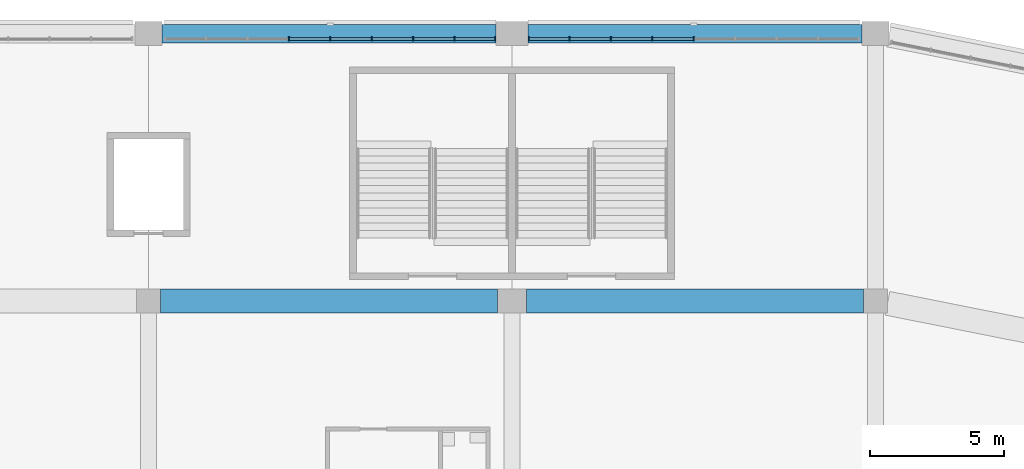
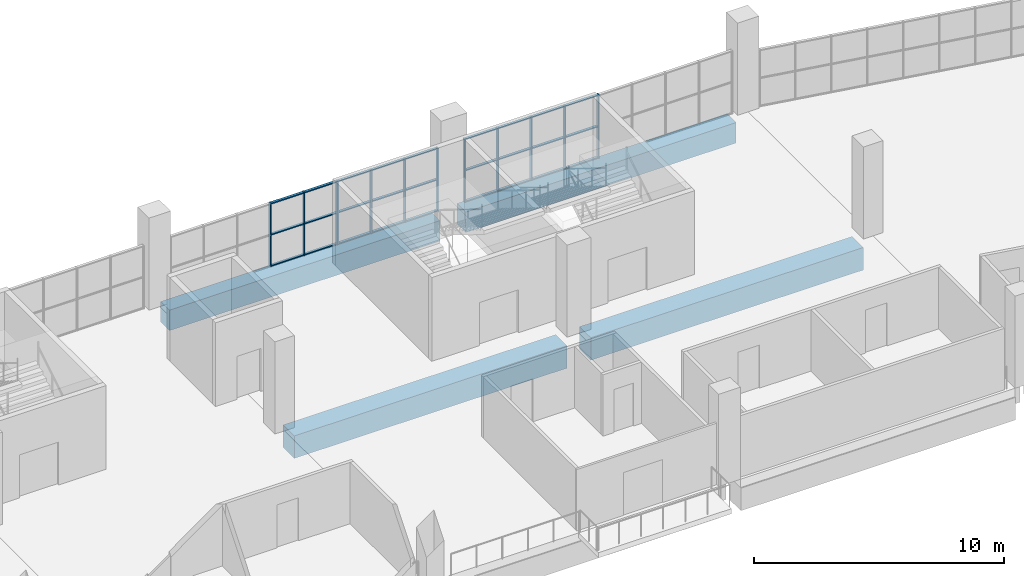
# One storey, part 45 of 199: 38 members, 4 beams, 2 elements without a shape of their own.
"""IFC4 building model written with IfcOpenShell, lengths in metres."""

from ifc_helpers import new_model, si_unit, direction, frame, origin, origin_2d, place, context, subcontext, project, spatial, rectangle, extrude, material, material_profile, profile_set, type_object, element, aggregate, save


model = new_model("IFC4")

# Units and contexts
model_context = context("Model", 3, precision=1e-05, world=origin(), true_north=direction((0.0, 1.0)))
body_context = subcontext(model_context, "Body", "Model", "MODEL_VIEW")
ifc_project = project(units=[si_unit("LENGTHUNIT", "METRE"), si_unit("AREAUNIT", "SQUARE_METRE"), si_unit("VOLUMEUNIT", "CUBIC_METRE"), si_unit("PLANEANGLEUNIT", "RADIAN"), si_unit("MASSUNIT", "GRAM", prefix="KILO")], contexts=[model_context])

# Site, building, storey
site_placement = place(None, origin())
site = spatial("IfcSite", under=ifc_project, at=site_placement, CompositionType="ELEMENT")
building_placement = place(site_placement, origin())
building = spatial("IfcBuilding", under=site, at=building_placement, Name="Ogive Plaza Stadium", CompositionType="ELEMENT")
storey_placement = place(building_placement, frame((0.0, 0.0, 9.0)))
storey = spatial("IfcBuildingStorey", under=building, at=storey_placement, Name="L02", CompositionType="ELEMENT", Elevation=9.0)

# Curtain wall, members
ifc_material_1 = material(Name="Bronze-anodised aluminium with laminated glass", Category="aluminium")
curtain_wall_type = type_object("IfcCurtainWallType", Name="Lancet curtain wall", PredefinedType="NOTDEFINED", material=ifc_material_1)
curtain_wall_1_placement = place(storey_placement, origin())
curtain_wall_1 = element("IfcCurtainWall", 1, at=curtain_wall_1_placement, inside=storey, type_object=curtain_wall_type, Name="CURTAIN WALL B35 L02", PredefinedType="NOTDEFINED")
ifc_material_2 = material(Name="Bronze-anodised aluminium", Category="aluminium")
ifc_material_profile_1 = material_profile(ifc_material_2, rectangle(XDim=0.14990234375, YDim=0.050048828125, at=origin_2d()), Name="AL 150x50")
ifc_profile_set_1 = profile_set([ifc_material_profile_1], Name="Bronze-anodised aluminium")
member_type_1 = type_object("IfcMemberType", Name="Curtain wall mullion 50x150", PredefinedType="MULLION", material=ifc_profile_set_1)
member_1_placement = place(storey_placement, frame((12.050048828125, 102.300048828125, 0.0), z_axis=(0.0, 0.0, 1.0), x_axis=(0.0, 1.0, 0.0)))
member_1 = element("IfcMember", 2, at=member_1_placement, type_object=member_type_1, Name="CW-B35-L02 mullion 4", PredefinedType="MULLION", context=body_context, shape_type="SweptSolid", body=[
    extrude(rectangle(XDim=0.14990234375, YDim=0.050048828125, at=origin_2d()), origin(), (0.0, 0.0, 1.0), 3.090087890625),
])
member_2_placement = place(storey_placement, frame((13.60009765625, 102.300048828125, 0.0), z_axis=(0.0, 0.0, 1.0), x_axis=(0.0, 1.0, 0.0)))
member_2 = element("IfcMember", 3, at=member_2_placement, type_object=member_type_1, Name="CW-B35-L02 mullion 5", PredefinedType="MULLION", context=body_context, shape_type="SweptSolid", body=[
    extrude(rectangle(XDim=0.14990234375, YDim=0.050048828125, at=origin_2d()), origin(), (0.0, 0.0, 1.0), 3.090087890625),
])
member_3_placement = place(storey_placement, frame((15.14990234375, 102.300048828125, 0.0), z_axis=(0.0, 0.0, 1.0), x_axis=(0.0, 1.0, 0.0)))
member_3 = element("IfcMember", 4, at=member_3_placement, type_object=member_type_1, Name="CW-B35-L02 mullion 6", PredefinedType="MULLION", context=body_context, shape_type="SweptSolid", body=[
    extrude(rectangle(XDim=0.14990234375, YDim=0.050048828125, at=origin_2d()), origin(), (0.0, 0.0, 1.0), 3.090087890625),
])
member_4_placement = place(storey_placement, frame((16.699951171875, 102.300048828125, 0.0), z_axis=(0.0, 0.0, 1.0), x_axis=(0.0, 1.0, 0.0)))
member_4 = element("IfcMember", 5, at=member_4_placement, type_object=member_type_1, Name="CW-B35-L02 mullion 7", PredefinedType="MULLION", context=body_context, shape_type="SweptSolid", body=[
    extrude(rectangle(XDim=0.14990234375, YDim=0.050048828125, at=origin_2d()), origin(), (0.0, 0.0, 1.0), 3.090087890625),
])
member_5_placement = place(storey_placement, frame((18.25, 102.300048828125, 0.0), z_axis=(0.0, 0.0, 1.0), x_axis=(0.0, 1.0, 0.0)))
member_5 = element("IfcMember", 6, at=member_5_placement, type_object=member_type_1, Name="CW-B35-L02 mullion 8", PredefinedType="MULLION", context=body_context, shape_type="SweptSolid", body=[
    extrude(rectangle(XDim=0.14990234375, YDim=0.050048828125, at=origin_2d()), origin(), (0.0, 0.0, 1.0), 3.090087890625),
])
member_6_placement = place(storey_placement, frame((19.77490234375, 102.300048828125, 0.0), z_axis=(0.0, 0.0, 1.0), x_axis=(0.0, 1.0, 0.0)))
member_6 = element("IfcMember", 7, at=member_6_placement, type_object=member_type_1, Name="CW-B35-L02 mullion 9", PredefinedType="MULLION", context=body_context, shape_type="SweptSolid", body=[
    extrude(rectangle(XDim=0.14990234375, YDim=0.050048828125, at=origin_2d()), origin(), (0.0, 0.0, 1.0), 3.090087890625),
])

curtain_wall_2_placement = place(storey_placement, origin())
curtain_wall_2 = element("IfcCurtainWall", 8, at=curtain_wall_2_placement, inside=storey, type_object=curtain_wall_type, Name="CURTAIN WALL B36 L02", PredefinedType="NOTDEFINED")
member_7_placement = place(storey_placement, frame((21.02490234375, 102.300048828125, 0.0), z_axis=(0.0, 0.0, 1.0), x_axis=(0.0, 1.0, 0.0)))
member_7 = element("IfcMember", 9, at=member_7_placement, type_object=member_type_1, Name="CW-B36-L02 mullion 1", PredefinedType="MULLION", context=body_context, shape_type="SweptSolid", body=[
    extrude(rectangle(XDim=0.14990234375, YDim=0.050048828125, at=origin_2d()), origin(), (0.0, 0.0, 1.0), 3.090087890625),
])
member_8_placement = place(storey_placement, frame((22.550048828125, 102.300048828125, 0.0), z_axis=(0.0, 0.0, 1.0), x_axis=(0.0, 1.0, 0.0)))
member_8 = element("IfcMember", 10, at=member_8_placement, type_object=member_type_1, Name="CW-B36-L02 mullion 2", PredefinedType="MULLION", context=body_context, shape_type="SweptSolid", body=[
    extrude(rectangle(XDim=0.14990234375, YDim=0.050048828125, at=origin_2d()), origin(), (0.0, 0.0, 1.0), 3.090087890625),
])
member_9_placement = place(storey_placement, frame((24.10009765625, 102.300048828125, 0.0), z_axis=(0.0, 0.0, 1.0), x_axis=(0.0, 1.0, 0.0)))
member_9 = element("IfcMember", 11, at=member_9_placement, type_object=member_type_1, Name="CW-B36-L02 mullion 3", PredefinedType="MULLION", context=body_context, shape_type="SweptSolid", body=[
    extrude(rectangle(XDim=0.14990234375, YDim=0.050048828125, at=origin_2d()), origin(), (0.0, 0.0, 1.0), 3.090087890625),
])
member_10_placement = place(storey_placement, frame((25.64990234375, 102.300048828125, 0.0), z_axis=(0.0, 0.0, 1.0), x_axis=(0.0, 1.0, 0.0)))
member_10 = element("IfcMember", 12, at=member_10_placement, type_object=member_type_1, Name="CW-B36-L02 mullion 4", PredefinedType="MULLION", context=body_context, shape_type="SweptSolid", body=[
    extrude(rectangle(XDim=0.14990234375, YDim=0.050048828125, at=origin_2d()), origin(), (0.0, 0.0, 1.0), 3.090087890625),
])
member_11_placement = place(storey_placement, frame((27.199951171875, 102.300048828125, 0.0), z_axis=(0.0, 0.0, 1.0), x_axis=(0.0, 1.0, 0.0)))
member_11 = element("IfcMember", 13, at=member_11_placement, type_object=member_type_1, Name="CW-B36-L02 mullion 5", PredefinedType="MULLION", context=body_context, shape_type="SweptSolid", body=[
    extrude(rectangle(XDim=0.14990234375, YDim=0.050048828125, at=origin_2d()), origin(), (0.0, 0.0, 1.0), 3.090087890625),
])

# Member
ifc_material_3 = material(Name="Bronze-anodised aluminium", Category="aluminium")
ifc_material_profile_2 = material_profile(ifc_material_3, rectangle(XDim=0.1201171875, YDim=0.050048828125, at=origin_2d()), Name="AL 120x50")
ifc_profile_set_2 = profile_set([ifc_material_profile_2], Name="Bronze-anodised aluminium")
member_type_2 = type_object("IfcMemberType", Name="Curtain wall transom 50x120", PredefinedType="USERDEFINED", material=ifc_profile_set_2)
member_12_placement = place(storey_placement, frame((12.074951171875, 102.300048828125, 0.02490234375), z_axis=(1.0, 0.0, 0.0), x_axis=(0.0, 1.0, 0.0)))
member_12 = element("IfcMember", 14, at=member_12_placement, type_object=member_type_2, Name="CW-B35-L02 transom 4.1", ObjectType="TRANSOM", PredefinedType="USERDEFINED", context=body_context, shape_type="SweptSolid", body=[
    extrude(rectangle(XDim=0.1201171875, YDim=0.050048828125, at=origin_2d()), origin(), (0.0, 0.0, 1.0), 1.5),
])

member_13_placement = place(storey_placement, frame((12.074951171875, 102.300048828125, 1.544921875), z_axis=(1.0, 0.0, 0.0), x_axis=(0.0, 1.0, 0.0)))
member_13 = element("IfcMember", 15, at=member_13_placement, type_object=member_type_2, Name="CW-B35-L02 transom 4.2", ObjectType="TRANSOM", PredefinedType="USERDEFINED", context=body_context, shape_type="SweptSolid", body=[
    extrude(rectangle(XDim=0.1201171875, YDim=0.050048828125, at=origin_2d()), origin(), (0.0, 0.0, 1.0), 1.5),
])

member_14_placement = place(storey_placement, frame((12.074951171875, 102.300048828125, 3.06494140625), z_axis=(1.0, 0.0, 0.0), x_axis=(0.0, 1.0, 0.0)))
member_14 = element("IfcMember", 16, at=member_14_placement, type_object=member_type_2, Name="CW-B35-L02 transom 4.3", ObjectType="TRANSOM", PredefinedType="USERDEFINED", context=body_context, shape_type="SweptSolid", body=[
    extrude(rectangle(XDim=0.1201171875, YDim=0.050048828125, at=origin_2d()), origin(), (0.0, 0.0, 1.0), 1.5),
])

member_15_placement = place(storey_placement, frame((13.625, 102.300048828125, 0.02490234375), z_axis=(1.0, 0.0, 0.0), x_axis=(0.0, 1.0, 0.0)))
member_15 = element("IfcMember", 17, at=member_15_placement, type_object=member_type_2, Name="CW-B35-L02 transom 5.1", ObjectType="TRANSOM", PredefinedType="USERDEFINED", context=body_context, shape_type="SweptSolid", body=[
    extrude(rectangle(XDim=0.1201171875, YDim=0.050048828125, at=origin_2d()), origin(), (0.0, 0.0, 1.0), 1.5),
])

member_16_placement = place(storey_placement, frame((13.625, 102.300048828125, 1.544921875), z_axis=(1.0, 0.0, 0.0), x_axis=(0.0, 1.0, 0.0)))
member_16 = element("IfcMember", 18, at=member_16_placement, type_object=member_type_2, Name="CW-B35-L02 transom 5.2", ObjectType="TRANSOM", PredefinedType="USERDEFINED", context=body_context, shape_type="SweptSolid", body=[
    extrude(rectangle(XDim=0.1201171875, YDim=0.050048828125, at=origin_2d()), origin(), (0.0, 0.0, 1.0), 1.5),
])

member_17_placement = place(storey_placement, frame((13.625, 102.300048828125, 3.06494140625), z_axis=(1.0, 0.0, 0.0), x_axis=(0.0, 1.0, 0.0)))
member_17 = element("IfcMember", 19, at=member_17_placement, type_object=member_type_2, Name="CW-B35-L02 transom 5.3", ObjectType="TRANSOM", PredefinedType="USERDEFINED", context=body_context, shape_type="SweptSolid", body=[
    extrude(rectangle(XDim=0.1201171875, YDim=0.050048828125, at=origin_2d()), origin(), (0.0, 0.0, 1.0), 1.5),
])

member_18_placement = place(storey_placement, frame((15.175048828125, 102.300048828125, 0.02490234375), z_axis=(1.0, 0.0, 0.0), x_axis=(0.0, 1.0, 0.0)))
member_18 = element("IfcMember", 20, at=member_18_placement, type_object=member_type_2, Name="CW-B35-L02 transom 6.1", ObjectType="TRANSOM", PredefinedType="USERDEFINED", context=body_context, shape_type="SweptSolid", body=[
    extrude(rectangle(XDim=0.1201171875, YDim=0.050048828125, at=origin_2d()), origin(), (0.0, 0.0, 1.0), 1.5),
])

member_19_placement = place(storey_placement, frame((15.175048828125, 102.300048828125, 1.544921875), z_axis=(1.0, 0.0, 0.0), x_axis=(0.0, 1.0, 0.0)))
member_19 = element("IfcMember", 21, at=member_19_placement, type_object=member_type_2, Name="CW-B35-L02 transom 6.2", ObjectType="TRANSOM", PredefinedType="USERDEFINED", context=body_context, shape_type="SweptSolid", body=[
    extrude(rectangle(XDim=0.1201171875, YDim=0.050048828125, at=origin_2d()), origin(), (0.0, 0.0, 1.0), 1.5),
])

member_20_placement = place(storey_placement, frame((15.175048828125, 102.300048828125, 3.06494140625), z_axis=(1.0, 0.0, 0.0), x_axis=(0.0, 1.0, 0.0)))
member_20 = element("IfcMember", 22, at=member_20_placement, type_object=member_type_2, Name="CW-B35-L02 transom 6.3", ObjectType="TRANSOM", PredefinedType="USERDEFINED", context=body_context, shape_type="SweptSolid", body=[
    extrude(rectangle(XDim=0.1201171875, YDim=0.050048828125, at=origin_2d()), origin(), (0.0, 0.0, 1.0), 1.5),
])

member_21_placement = place(storey_placement, frame((16.72509765625, 102.300048828125, 0.02490234375), z_axis=(1.0, 0.0, 0.0), x_axis=(0.0, 1.0, 0.0)))
member_21 = element("IfcMember", 23, at=member_21_placement, type_object=member_type_2, Name="CW-B35-L02 transom 7.1", ObjectType="TRANSOM", PredefinedType="USERDEFINED", context=body_context, shape_type="SweptSolid", body=[
    extrude(rectangle(XDim=0.1201171875, YDim=0.050048828125, at=origin_2d()), origin(), (0.0, 0.0, 1.0), 1.5),
])

member_22_placement = place(storey_placement, frame((16.72509765625, 102.300048828125, 1.544921875), z_axis=(1.0, 0.0, 0.0), x_axis=(0.0, 1.0, 0.0)))
member_22 = element("IfcMember", 24, at=member_22_placement, type_object=member_type_2, Name="CW-B35-L02 transom 7.2", ObjectType="TRANSOM", PredefinedType="USERDEFINED", context=body_context, shape_type="SweptSolid", body=[
    extrude(rectangle(XDim=0.1201171875, YDim=0.050048828125, at=origin_2d()), origin(), (0.0, 0.0, 1.0), 1.5),
])

member_23_placement = place(storey_placement, frame((16.72509765625, 102.300048828125, 3.06494140625), z_axis=(1.0, 0.0, 0.0), x_axis=(0.0, 1.0, 0.0)))
member_23 = element("IfcMember", 25, at=member_23_placement, type_object=member_type_2, Name="CW-B35-L02 transom 7.3", ObjectType="TRANSOM", PredefinedType="USERDEFINED", context=body_context, shape_type="SweptSolid", body=[
    extrude(rectangle(XDim=0.1201171875, YDim=0.050048828125, at=origin_2d()), origin(), (0.0, 0.0, 1.0), 1.5),
])

member_24_placement = place(storey_placement, frame((18.27490234375, 102.300048828125, 0.02490234375), z_axis=(1.0, 0.0, 0.0), x_axis=(0.0, 1.0, 0.0)))
member_24 = element("IfcMember", 26, at=member_24_placement, type_object=member_type_2, Name="CW-B35-L02 transom 8.1", ObjectType="TRANSOM", PredefinedType="USERDEFINED", context=body_context, shape_type="SweptSolid", body=[
    extrude(rectangle(XDim=0.1201171875, YDim=0.050048828125, at=origin_2d()), origin(), (0.0, 0.0, 1.0), 1.47509765625),
])

member_25_placement = place(storey_placement, frame((18.27490234375, 102.300048828125, 1.544921875), z_axis=(1.0, 0.0, 0.0), x_axis=(0.0, 1.0, 0.0)))
member_25 = element("IfcMember", 27, at=member_25_placement, type_object=member_type_2, Name="CW-B35-L02 transom 8.2", ObjectType="TRANSOM", PredefinedType="USERDEFINED", context=body_context, shape_type="SweptSolid", body=[
    extrude(rectangle(XDim=0.1201171875, YDim=0.050048828125, at=origin_2d()), origin(), (0.0, 0.0, 1.0), 1.47509765625),
])

member_26_placement = place(storey_placement, frame((18.27490234375, 102.300048828125, 3.06494140625), z_axis=(1.0, 0.0, 0.0), x_axis=(0.0, 1.0, 0.0)))
member_26 = element("IfcMember", 28, at=member_26_placement, type_object=member_type_2, Name="CW-B35-L02 transom 8.3", ObjectType="TRANSOM", PredefinedType="USERDEFINED", context=body_context, shape_type="SweptSolid", body=[
    extrude(rectangle(XDim=0.1201171875, YDim=0.050048828125, at=origin_2d()), origin(), (0.0, 0.0, 1.0), 1.47509765625),
])

aggregate(curtain_wall_1, [member_1, member_2, member_3, member_4, member_5, member_6, member_12, member_13, member_14, member_15, member_16, member_17, member_18, member_19, member_20, member_21, member_22, member_23, member_24, member_25, member_26])

member_27_placement = place(storey_placement, frame((21.050048828125, 102.300048828125, 0.02490234375), z_axis=(1.0, 0.0, 0.0), x_axis=(0.0, 1.0, 0.0)))
member_27 = element("IfcMember", 29, at=member_27_placement, type_object=member_type_2, Name="CW-B36-L02 transom 1.1", ObjectType="TRANSOM", PredefinedType="USERDEFINED", context=body_context, shape_type="SweptSolid", body=[
    extrude(rectangle(XDim=0.1201171875, YDim=0.050048828125, at=origin_2d()), origin(), (0.0, 0.0, 1.0), 1.474853515625),
])

member_28_placement = place(storey_placement, frame((21.050048828125, 102.300048828125, 1.544921875), z_axis=(1.0, 0.0, 0.0), x_axis=(0.0, 1.0, 0.0)))
member_28 = element("IfcMember", 30, at=member_28_placement, type_object=member_type_2, Name="CW-B36-L02 transom 1.2", ObjectType="TRANSOM", PredefinedType="USERDEFINED", context=body_context, shape_type="SweptSolid", body=[
    extrude(rectangle(XDim=0.1201171875, YDim=0.050048828125, at=origin_2d()), origin(), (0.0, 0.0, 1.0), 1.474853515625),
])

member_29_placement = place(storey_placement, frame((21.050048828125, 102.300048828125, 3.06494140625), z_axis=(1.0, 0.0, 0.0), x_axis=(0.0, 1.0, 0.0)))
member_29 = element("IfcMember", 31, at=member_29_placement, type_object=member_type_2, Name="CW-B36-L02 transom 1.3", ObjectType="TRANSOM", PredefinedType="USERDEFINED", context=body_context, shape_type="SweptSolid", body=[
    extrude(rectangle(XDim=0.1201171875, YDim=0.050048828125, at=origin_2d()), origin(), (0.0, 0.0, 1.0), 1.474853515625),
])

member_30_placement = place(storey_placement, frame((22.574951171875, 102.300048828125, 0.02490234375), z_axis=(1.0, 0.0, 0.0), x_axis=(0.0, 1.0, 0.0)))
member_30 = element("IfcMember", 32, at=member_30_placement, type_object=member_type_2, Name="CW-B36-L02 transom 2.1", ObjectType="TRANSOM", PredefinedType="USERDEFINED", context=body_context, shape_type="SweptSolid", body=[
    extrude(rectangle(XDim=0.1201171875, YDim=0.050048828125, at=origin_2d()), origin(), (0.0, 0.0, 1.0), 1.5),
])

member_31_placement = place(storey_placement, frame((22.574951171875, 102.300048828125, 1.544921875), z_axis=(1.0, 0.0, 0.0), x_axis=(0.0, 1.0, 0.0)))
member_31 = element("IfcMember", 33, at=member_31_placement, type_object=member_type_2, Name="CW-B36-L02 transom 2.2", ObjectType="TRANSOM", PredefinedType="USERDEFINED", context=body_context, shape_type="SweptSolid", body=[
    extrude(rectangle(XDim=0.1201171875, YDim=0.050048828125, at=origin_2d()), origin(), (0.0, 0.0, 1.0), 1.5),
])

member_32_placement = place(storey_placement, frame((22.574951171875, 102.300048828125, 3.06494140625), z_axis=(1.0, 0.0, 0.0), x_axis=(0.0, 1.0, 0.0)))
member_32 = element("IfcMember", 34, at=member_32_placement, type_object=member_type_2, Name="CW-B36-L02 transom 2.3", ObjectType="TRANSOM", PredefinedType="USERDEFINED", context=body_context, shape_type="SweptSolid", body=[
    extrude(rectangle(XDim=0.1201171875, YDim=0.050048828125, at=origin_2d()), origin(), (0.0, 0.0, 1.0), 1.5),
])

member_33_placement = place(storey_placement, frame((24.125, 102.300048828125, 0.02490234375), z_axis=(1.0, 0.0, 0.0), x_axis=(0.0, 1.0, 0.0)))
member_33 = element("IfcMember", 35, at=member_33_placement, type_object=member_type_2, Name="CW-B36-L02 transom 3.1", ObjectType="TRANSOM", PredefinedType="USERDEFINED", context=body_context, shape_type="SweptSolid", body=[
    extrude(rectangle(XDim=0.1201171875, YDim=0.050048828125, at=origin_2d()), origin(), (0.0, 0.0, 1.0), 1.5),
])

member_34_placement = place(storey_placement, frame((24.125, 102.300048828125, 1.544921875), z_axis=(1.0, 0.0, 0.0), x_axis=(0.0, 1.0, 0.0)))
member_34 = element("IfcMember", 36, at=member_34_placement, type_object=member_type_2, Name="CW-B36-L02 transom 3.2", ObjectType="TRANSOM", PredefinedType="USERDEFINED", context=body_context, shape_type="SweptSolid", body=[
    extrude(rectangle(XDim=0.1201171875, YDim=0.050048828125, at=origin_2d()), origin(), (0.0, 0.0, 1.0), 1.5),
])

member_35_placement = place(storey_placement, frame((24.125, 102.300048828125, 3.06494140625), z_axis=(1.0, 0.0, 0.0), x_axis=(0.0, 1.0, 0.0)))
member_35 = element("IfcMember", 37, at=member_35_placement, type_object=member_type_2, Name="CW-B36-L02 transom 3.3", ObjectType="TRANSOM", PredefinedType="USERDEFINED", context=body_context, shape_type="SweptSolid", body=[
    extrude(rectangle(XDim=0.1201171875, YDim=0.050048828125, at=origin_2d()), origin(), (0.0, 0.0, 1.0), 1.5),
])

member_36_placement = place(storey_placement, frame((25.675048828125, 102.300048828125, 0.02490234375), z_axis=(1.0, 0.0, 0.0), x_axis=(0.0, 1.0, 0.0)))
member_36 = element("IfcMember", 38, at=member_36_placement, type_object=member_type_2, Name="CW-B36-L02 transom 4.1", ObjectType="TRANSOM", PredefinedType="USERDEFINED", context=body_context, shape_type="SweptSolid", body=[
    extrude(rectangle(XDim=0.1201171875, YDim=0.050048828125, at=origin_2d()), origin(), (0.0, 0.0, 1.0), 1.5),
])

member_37_placement = place(storey_placement, frame((25.675048828125, 102.300048828125, 1.544921875), z_axis=(1.0, 0.0, 0.0), x_axis=(0.0, 1.0, 0.0)))
member_37 = element("IfcMember", 39, at=member_37_placement, type_object=member_type_2, Name="CW-B36-L02 transom 4.2", ObjectType="TRANSOM", PredefinedType="USERDEFINED", context=body_context, shape_type="SweptSolid", body=[
    extrude(rectangle(XDim=0.1201171875, YDim=0.050048828125, at=origin_2d()), origin(), (0.0, 0.0, 1.0), 1.5),
])

member_38_placement = place(storey_placement, frame((25.675048828125, 102.300048828125, 3.06494140625), z_axis=(1.0, 0.0, 0.0), x_axis=(0.0, 1.0, 0.0)))
member_38 = element("IfcMember", 40, at=member_38_placement, type_object=member_type_2, Name="CW-B36-L02 transom 4.3", ObjectType="TRANSOM", PredefinedType="USERDEFINED", context=body_context, shape_type="SweptSolid", body=[
    extrude(rectangle(XDim=0.1201171875, YDim=0.050048828125, at=origin_2d()), origin(), (0.0, 0.0, 1.0), 1.5),
])

aggregate(curtain_wall_2, [member_7, member_8, member_9, member_10, member_11, member_27, member_28, member_29, member_30, member_31, member_32, member_33, member_34, member_35, member_36, member_37, member_38])

# Beams
ifc_material_4 = material(Name="Concrete C40/50", Category="concrete")
ifc_material_profile_3 = material_profile(ifc_material_4, rectangle(XDim=0.89990234375, YDim=1.10009765625, at=origin_2d()), Name="RC 900x1100")
ifc_profile_set_3 = profile_set([ifc_material_profile_3], Name="Concrete C40/50")
beam_type_1 = type_object("IfcBeamType", Name="RC ring beam 900x1100", PredefinedType="BEAM", material=ifc_profile_set_3)
for number, where, z_axis, x_axis, name in (
    (41, (7.25, 92.5, -0.9599609375), (1.0, 0.0, 0.0), (0.0, 1.0, 0.0), "Ring beam F4 L02 B35"),
    (42, (20.949951171875, 92.5, -0.9599609375), (1.0, 0.0, 0.0), (0.0, 1.0, 0.0), "Ring beam F4 L02 B36"),
):
    element("IfcBeam", number, at=place(storey_placement, frame(where, z_axis=z_axis, x_axis=x_axis)), inside=storey, type_object=beam_type_1, Name=name, PredefinedType="BEAM", context=body_context, shape_type="SweptSolid", body=[
        extrude(rectangle(XDim=0.89990234375, YDim=1.10009765625, at=origin_2d()), origin(), (0.0, 0.0, 1.0), 12.60009765625),
    ])
ifc_material_5 = material(Name="Concrete C40/50", Category="concrete")
ifc_material_profile_4 = material_profile(ifc_material_5, rectangle(XDim=0.699951171875, YDim=1.0, at=origin_2d()), Name="RC 700x1000")
ifc_profile_set_4 = profile_set([ifc_material_profile_4], Name="Concrete C40/50")
beam_type_2 = type_object("IfcBeamType", Name="RC spandrel beam 700x1000", PredefinedType="SPANDREL", material=ifc_profile_set_4)
for number, where, z_axis, x_axis, name in (
    (43, (7.300048828125, 102.5, -0.909912109375), (1.0, 0.0, 0.0), (0.0, 1.0, 0.0), "Ring beam F5 L02 B35"),
    (44, (21.0, 102.5, -0.909912109375), (1.0, 0.0, 0.0), (0.0, 1.0, 0.0), "Ring beam F5 L02 B36"),
):
    element("IfcBeam", number, at=place(storey_placement, frame(where, z_axis=z_axis, x_axis=x_axis)), inside=storey, type_object=beam_type_2, Name=name, PredefinedType="SPANDREL", context=body_context, shape_type="SweptSolid", body=[
        extrude(rectangle(XDim=0.699951171875, YDim=1.0, at=origin_2d()), origin(), (0.0, 0.0, 1.0), 12.5),
    ])

save(model, "model.ifc")
